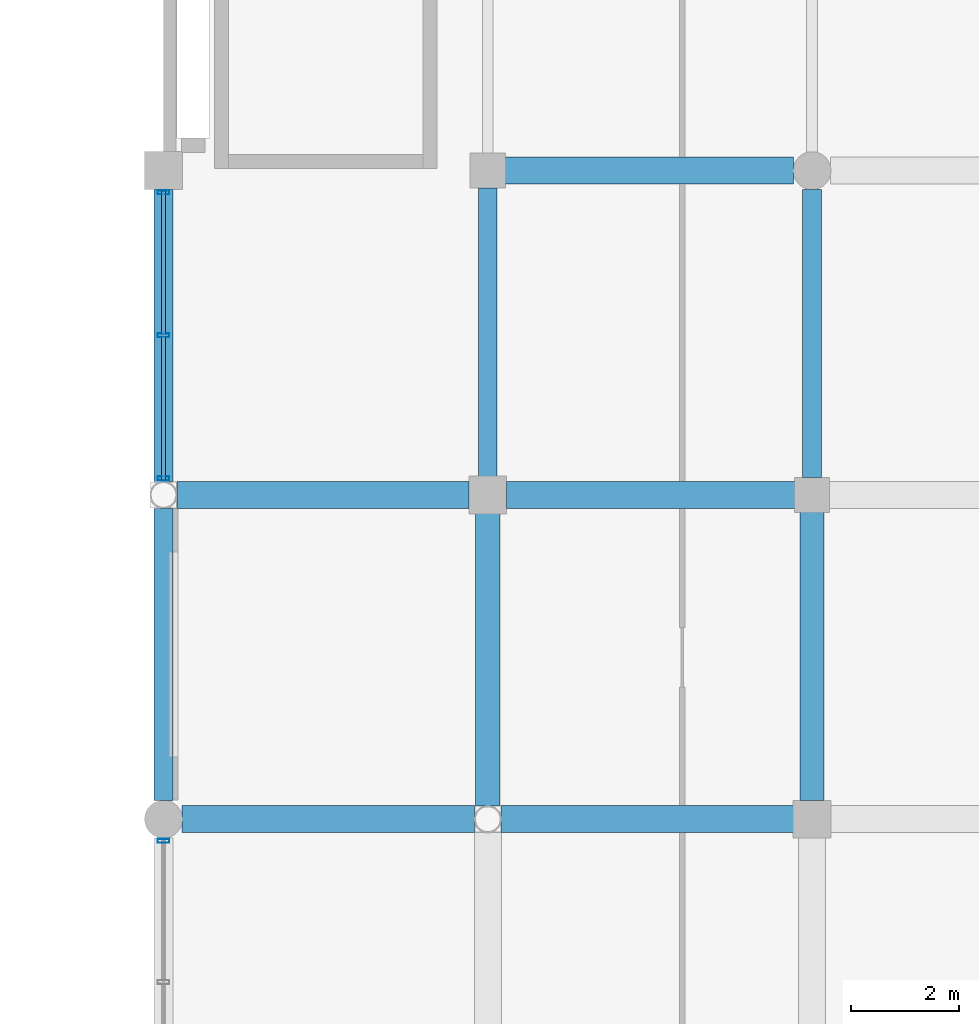
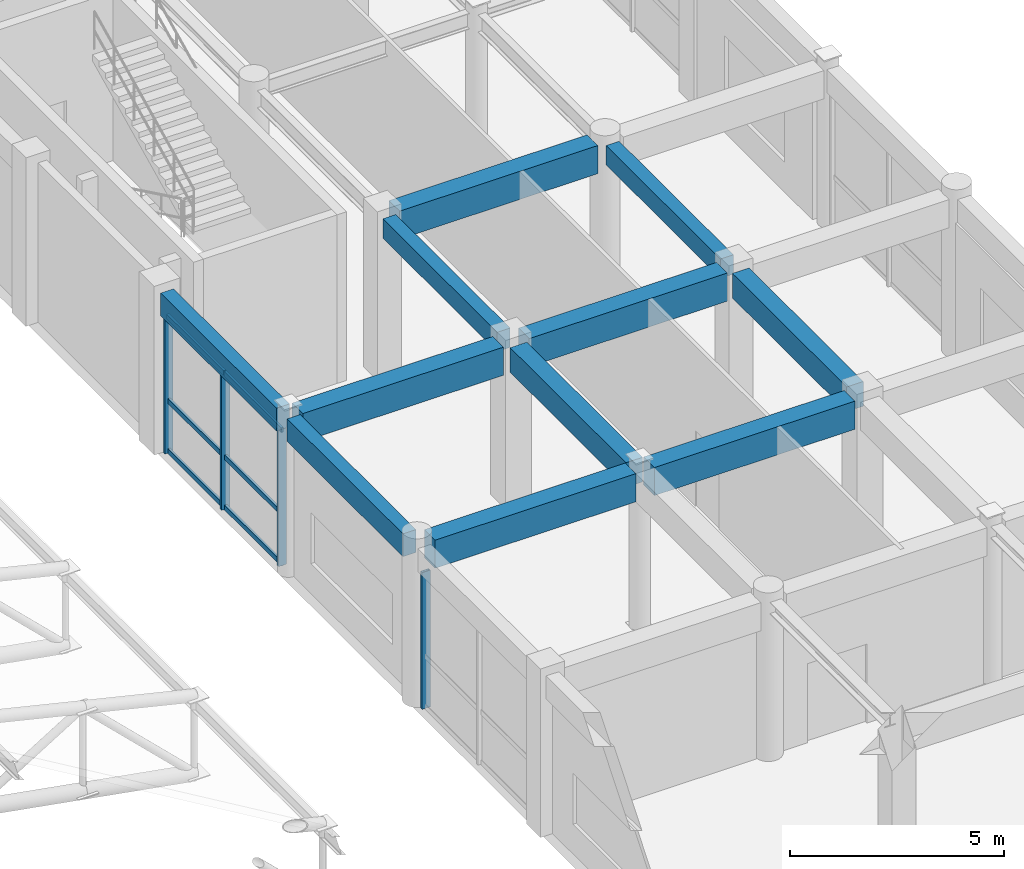
# One storey, part 68 of 112: 11 beams, 10 members, 2 elements without a shape of their own.
"""IFC4 building model written with IfcOpenShell, lengths in metres."""

import ifcopenshell
import ifcopenshell.guid

model = None  # the IFC model being written
_history = None  # IfcOwnerHistory: only IFC2X3 demands one
_inside = {}  # id of a spatial element -> (the spatial element, [elements in it])
_under = {}  # id of a project, library or spatial element -> (it, [spatial elements below it])
_declared = {}  # id of a project -> (the project, [libraries it declares])
_typed = {}  # id of a type object -> (the type object, [elements of that type])
_made_of = {}  # id of a material, layer set ... -> (it, [elements and type objects made of it])


def new_model(schema):
    """Start an empty IFC model of exactly this schema.

    Asked for "IFC4X3", IfcOpenShell would pick the latest addendum, in which some entities
    have other attributes; the version numbers below select the first issue.
    IFC2X3 requires an IfcOwnerHistory on every rooted entity: one is made here for all.
    """
    global model, _history
    if schema == "IFC4X3":
        model = ifcopenshell.file(schema_version=(4, 3, 0, 0))
    else:
        model = ifcopenshell.file(schema=schema)
    _inside.clear()
    _under.clear()
    _declared.clear()
    _typed.clear()
    _made_of.clear()
    _history = None
    if model.schema == "IFC2X3":
        org = make("IfcOrganization", Name="unknown")
        user = make(
            "IfcPersonAndOrganization",
            ThePerson=make("IfcPerson", FamilyName="unknown"),
            TheOrganization=org,
        )
        app = make(
            "IfcApplication",
            ApplicationDeveloper=org,
            Version="unknown",
            ApplicationFullName="unknown",
            ApplicationIdentifier="unknown",
        )
        _history = make(
            "IfcOwnerHistory",
            OwningUser=user,
            OwningApplication=app,
            ChangeAction="ADDED",
            CreationDate=0,
        )
    return model


def make(cls, **values):
    """One entity of the class cls with the attributes given. An attribute that is None is left unset."""
    return model.create_entity(
        cls, **{name: value for name, value in values.items() if value is not None}
    )


def rooted(cls, **values):
    """An entity with a GlobalId (a new one), such as an element, a storey or a relation."""
    return make(cls, GlobalId=ifcopenshell.guid.new(), OwnerHistory=_history, **values)


def si_unit(unit_type, name, prefix=None):
    """IfcSIUnit, for example si_unit("LENGTHUNIT", "METRE", prefix="MILLI")."""
    return make("IfcSIUnit", UnitType=unit_type, Prefix=prefix, Name=name)


def assignment(units):
    """IfcUnitAssignment: the units of a project."""
    return None if units is None else make("IfcUnitAssignment", Units=units)


def point(xyz):
    """IfcCartesianPoint."""
    return None if xyz is None else make("IfcCartesianPoint", Coordinates=xyz)


def direction(xyz):
    """IfcDirection."""
    return None if xyz is None else make("IfcDirection", DirectionRatios=xyz)


def frame(location, z_axis=None, x_axis=None):
    """IfcAxis2Placement3D, a coordinate frame: its origin and axes. An axis left out is left unset."""
    return make(
        "IfcAxis2Placement3D",
        Location=point(location),
        Axis=direction(z_axis),
        RefDirection=direction(x_axis),
    )


def frame_2d(location, x_axis=None):
    """IfcAxis2Placement2D, a coordinate frame in the plane: its origin and x axis."""
    return make(
        "IfcAxis2Placement2D", Location=point(location), RefDirection=direction(x_axis)
    )


def origin():
    """The frame at (0, 0, 0) with its axes left unset."""
    return frame((0.0, 0.0, 0.0))


def origin_2d():
    """The frame at (0, 0) in the plane with its x axis left unset."""
    return frame_2d((0.0, 0.0))


def place(relative_to, where):
    """IfcLocalPlacement: puts the frame where relative to a parent placement (None: the world)."""
    return make(
        "IfcLocalPlacement", PlacementRelTo=relative_to, RelativePlacement=where
    )


def context(
    kind, dimensions, precision=None, world=None, true_north=None, identifier=None
):
    """IfcGeometricRepresentationContext, for example the 3D "Model" context."""
    return make(
        "IfcGeometricRepresentationContext",
        ContextIdentifier=identifier,
        ContextType=kind,
        CoordinateSpaceDimension=dimensions,
        Precision=precision,
        WorldCoordinateSystem=world,
        TrueNorth=true_north,
    )


def subcontext(parent, identifier, kind, view, scale=None):
    """IfcGeometricRepresentationSubContext, for example "Body" below "Model"."""
    return make(
        "IfcGeometricRepresentationSubContext",
        ContextIdentifier=identifier,
        ContextType=kind,
        ParentContext=parent,
        TargetScale=scale,
        TargetView=view,
    )


def project(units=None, contexts=None):
    """IfcProject with its units and contexts."""
    return rooted(
        "IfcProject",
        Name="project",
        RepresentationContexts=contexts,
        UnitsInContext=assignment(units),
    )


def spatial(cls, under=None, at=None, **own):
    """A site, building, storey or space (cls), placed at a placement, below another one or the project."""
    s = rooted(cls, ObjectPlacement=at, **own)
    if under is not None:
        _under.setdefault(under.id(), (under, []))[1].append(s)
    return s


def profile(cls, at=None, kind="AREA", **sizes):
    """A parametric profile (cls). Its sizes go by their IFC names, for example OverallWidth=200.0."""
    return make(cls, ProfileType=kind, Position=at, **sizes)


def rectangle(**sizes):
    """IfcRectangleProfileDef."""
    return profile("IfcRectangleProfileDef", **sizes)


def hollow_rectangle(**sizes):
    """IfcRectangleHollowProfileDef."""
    return profile("IfcRectangleHollowProfileDef", **sizes)


def extrude(swept, where, along, depth):
    """IfcExtrudedAreaSolid: the profile swept, set in the frame where, extruded along a direction by depth."""
    return make(
        "IfcExtrudedAreaSolid",
        SweptArea=swept,
        Position=where,
        ExtrudedDirection=direction(along),
        Depth=depth,
    )


def shape(context_of_items, identifier, shape_type, items):
    """IfcShapeRepresentation: the items that make up one representation, for example the "Body"."""
    return make(
        "IfcShapeRepresentation",
        ContextOfItems=context_of_items,
        RepresentationIdentifier=identifier,
        RepresentationType=shape_type,
        Items=items,
    )


def material(Name=None, Category=None):
    """IfcMaterial."""
    return make("IfcMaterial", Name=Name, Category=Category)


def material_profile(
    of_material, cross_section, Name=None, Category=None, Priority=None
):
    """IfcMaterialProfile: a cross section and its material."""
    return make(
        "IfcMaterialProfile",
        Name=Name,
        Material=of_material,
        Profile=cross_section,
        Priority=Priority,
        Category=Category,
    )


def profile_set(profiles, Name=None, composite=None):
    """IfcMaterialProfileSet."""
    return make(
        "IfcMaterialProfileSet",
        Name=Name,
        MaterialProfiles=profiles,
        CompositeProfile=composite,
    )


def made_of(thing, what):
    """Note that an element or type object is made of a material, layer set ...; save() writes the relation."""
    if what is not None:
        _made_of.setdefault(what.id(), (what, []))[1].append(thing)
    return thing


def type_object(cls, material=None, **own):
    """A type object (cls), such as IfcWallType, which elements share."""
    return made_of(rooted(cls, **own), material)


def element(
    cls,
    number,
    at=None,
    inside=None,
    cuts=None,
    type_object=None,
    material=None,
    context=None,
    identifier="Body",
    shape_type=None,
    held_by="IfcProductDefinitionShape",
    body=None,
    shapes=None,
    **own,
):
    """One element of the class cls, such as IfcWall. Its Tag is "e" and its number.

    at: its placement. inside: the storey or other place that contains it. cuts: it is an
    opening in that element (IfcRelVoidsElement). A single representation is given by context,
    identifier, shape_type and body (its items); several are given by shapes. held_by: the class
    of the entity that holds the representations. save() writes the other relations.
    """
    e = rooted(cls, Tag="e%d" % number, ObjectPlacement=at, **own)
    if body is not None:
        shapes = [shape(context, identifier, shape_type, body)]
    if shapes is not None:
        e.Representation = make(held_by, Representations=shapes)
    if inside is not None:
        _inside.setdefault(inside.id(), (inside, []))[1].append(e)
    if cuts is not None:
        rooted(
            "IfcRelVoidsElement", RelatingBuildingElement=cuts, RelatedOpeningElement=e
        )
    if type_object is not None:
        _typed.setdefault(type_object.id(), (type_object, []))[1].append(e)
    return made_of(e, material)


def aggregate(whole, parts):
    """IfcRelAggregates: a whole, such as a stair, and the parts it consists of."""
    return rooted("IfcRelAggregates", RelatingObject=whole, RelatedObjects=parts)


def save(model, path):
    """Write the relations noted so far, then the file.

    IfcRelAggregates (storeys below a building ...), IfcRelContainedInSpatialStructure (elements
    in a storey), IfcRelDefinesByType, IfcRelAssociatesMaterial and IfcRelDeclares: one each for
    every whole, place, type object, material and project.
    """
    for whole, parts in _under.values():
        aggregate(whole, parts)
    for where, things in _inside.values():
        rooted(
            "IfcRelContainedInSpatialStructure",
            RelatedElements=things,
            RelatingStructure=where,
        )
    for kind, things in _typed.values():
        rooted("IfcRelDefinesByType", RelatedObjects=things, RelatingType=kind)
    for what, things in _made_of.values():
        rooted("IfcRelAssociatesMaterial", RelatedObjects=things, RelatingMaterial=what)
    for by, libraries in _declared.values():
        rooted("IfcRelDeclares", RelatingContext=by, RelatedDefinitions=libraries)
    model.write(path)


model = new_model("IFC4")

# Units and contexts
model_context = context("Model", 3, precision=1e-05, world=origin(), true_north=direction((0.0, 1.0)))
body_context = subcontext(model_context, "Body", "Model", "MODEL_VIEW")
ifc_project = project(units=[si_unit("LENGTHUNIT", "METRE"), si_unit("AREAUNIT", "SQUARE_METRE"), si_unit("VOLUMEUNIT", "CUBIC_METRE"), si_unit("PLANEANGLEUNIT", "RADIAN"), si_unit("MASSUNIT", "GRAM", prefix="KILO"), si_unit("THERMODYNAMICTEMPERATUREUNIT", "KELVIN"), si_unit("POWERUNIT", "WATT")], contexts=[model_context])

# Site, building, storey
site_placement = place(None, origin())
site = spatial("IfcSite", under=ifc_project, at=site_placement, CompositionType="ELEMENT")
building_placement = place(site_placement, origin())
building = spatial("IfcBuilding", under=site, at=building_placement, Name="Phaisarnlok Congress Hotel", CompositionType="ELEMENT")
storey_placement = place(building_placement, frame((0.0, 0.0, 19.800048828125)))
storey = spatial("IfcBuildingStorey", under=building, at=storey_placement, Name="L04", CompositionType="ELEMENT", Elevation=19.800048828125)

# Beams
ifc_material_1 = material(Name="Concrete C40/50", Category="concrete")
ifc_material_profile_1 = material_profile(ifc_material_1, rectangle(XDim=0.35009765625, YDim=0.550048828125, at=origin_2d()), Name="RC 350x550")
ifc_profile_set_1 = profile_set([ifc_material_profile_1], Name="Concrete C40/50")
beam_type_1 = type_object("IfcBeamType", Name="BM-RC-350x550", PredefinedType="BEAM", material=ifc_profile_set_1)
for number, where, z_axis, x_axis, name in (
    (1, (168.0, 72.344970703125, 4.27490234375), (0.0, 1.0, 0.0), (-1.0, 0.0, 0.0), "Beam B-01"),
    (2, (174.0, 72.320068359375, 4.27490234375), (0.0, 1.0, 0.0), (-1.0, 0.0, 0.0), "Beam B-01"),
):
    element("IfcBeam", number, at=place(storey_placement, frame(where, z_axis=z_axis, x_axis=x_axis)), inside=storey, type_object=beam_type_1, Name=name, PredefinedType="BEAM", context=body_context, shape_type="SweptSolid", body=[
        extrude(rectangle(XDim=0.35009765625, YDim=0.550048828125, at=origin_2d()), origin(), (0.0, 0.0, 1.0), 5.3349609375),
    ])
ifc_material_profile_2 = material_profile(ifc_material_1, rectangle(XDim=0.449951171875, YDim=0.699951171875, at=origin_2d()), Name="RC 450x700")
ifc_profile_set_2 = profile_set([ifc_material_profile_2], Name="Concrete C40/50")
beam_type_2 = type_object("IfcBeamType", Name="BM-RC-450x700", PredefinedType="BEAM", material=ifc_profile_set_2)
beam_1_placement = place(storey_placement, frame((168.0, 66.2490234375, 4.199951171875), z_axis=(0.0, 1.0, 0.0), x_axis=(-1.0, 0.0, 0.0)))
element("IfcBeam", 3, at=beam_1_placement, inside=storey, type_object=beam_type_2, Name="Beam B-03", PredefinedType="BEAM", context=body_context, shape_type="SweptSolid", body=[
    extrude(rectangle(XDim=0.449951171875, YDim=0.699951171875, at=origin_2d()), origin(), (0.0, 0.0, 1.0), 5.406005859375),
])
beam_2_placement = place(storey_placement, frame((174.0, 66.344970703125, 4.199951171875), z_axis=(0.0, 1.0, 0.0), x_axis=(-1.0, 0.0, 0.0)))
element("IfcBeam", 4, at=beam_2_placement, inside=storey, type_object=beam_type_2, Name="Beam B-03", PredefinedType="BEAM", context=body_context, shape_type="SweptSolid", body=[
    extrude(rectangle(XDim=0.449951171875, YDim=0.699951171875, at=origin_2d()), origin(), (0.0, 0.0, 1.0), 5.3349609375),
])
ifc_material_profile_3 = material_profile(ifc_material_1, rectangle(XDim=0.5, YDim=0.800048828125, at=origin_2d()), Name="RC 500x800")
ifc_profile_set_3 = profile_set([ifc_material_profile_3], Name="Concrete C40/50")
beam_type_3 = type_object("IfcBeamType", Name="BM-RC-500x800", PredefinedType="BEAM", material=ifc_profile_set_3)
for number, where, z_axis, x_axis, name in (
    (5, (162.344970703125, 66.0, 4.14990234375), (1.0, 0.0, 0.0), (0.0, 1.0, 0.0), "Beam B-04"),
    (6, (162.2490234375, 72.0, 4.14990234375), (1.0, 0.0, 0.0), (0.0, 1.0, 0.0), "Beam B-04"),
    (7, (168.2490234375, 66.0, 4.14990234375), (1.0, 0.0, 0.0), (0.0, 1.0, 0.0), "Beam B-04"),
):
    element("IfcBeam", number, at=place(storey_placement, frame(where, z_axis=z_axis, x_axis=x_axis)), inside=storey, type_object=beam_type_3, Name=name, PredefinedType="BEAM", context=body_context, shape_type="SweptSolid", body=[
        extrude(rectangle(XDim=0.5, YDim=0.800048828125, at=origin_2d()), origin(), (0.0, 0.0, 1.0), 5.406005859375),
    ])
for number, where, z_axis, x_axis, name in (
    (8, (168.344970703125, 72.0, 4.14990234375), (1.0, 0.0, 0.0), (0.0, 1.0, 0.0), "Beam B-04"),
    (9, (168.320068359375, 78.0, 4.14990234375), (1.0, 0.0, 0.0), (0.0, 1.0, 0.0), "Beam B-04"),
):
    element("IfcBeam", number, at=place(storey_placement, frame(where, z_axis=z_axis, x_axis=x_axis)), inside=storey, type_object=beam_type_3, Name=name, PredefinedType="BEAM", context=body_context, shape_type="SweptSolid", body=[
        extrude(rectangle(XDim=0.5, YDim=0.800048828125, at=origin_2d()), origin(), (0.0, 0.0, 1.0), 5.3349609375),
    ])

# Curtain wall, members
ifc_material_2 = material(Name="Thermally Broken Unitised Aluminium & Low-E Glazing", Category="aluminium")
curtain_wall_type_1 = type_object("IfcCurtainWallType", Name="CW-UNIT-34", PredefinedType="NOTDEFINED", material=ifc_material_2)
curtain_wall_1_placement = place(storey_placement, origin())
curtain_wall_1 = element("IfcCurtainWall", 10, at=curtain_wall_1_placement, inside=storey, type_object=curtain_wall_type_1, Name="Unitised curtain wall CW-34 (L04)", PredefinedType="NOTDEFINED")
ifc_material_3 = material(Name="Anodised Aluminium Alloy 6063-T6", Category="aluminium")
ifc_material_profile_4 = material_profile(ifc_material_3, hollow_rectangle(XDim=0.074951171875, YDim=0.219970703125, WallThickness=0.0048828125, at=origin_2d()), Name="ALU-M 75x220x5")
ifc_profile_set_4 = profile_set([ifc_material_profile_4], Name="Anodised Aluminium Alloy 6063-T6")
member_type_1 = type_object("IfcMemberType", Name="CWM-220", PredefinedType="MULLION", material=ifc_profile_set_4)
member_1_placement = place(storey_placement, frame((162.0, 77.60009765625, 0.0), z_axis=(0.0, 0.0, 1.0), x_axis=(0.0, -1.0, 0.0)))
member_1 = element("IfcMember", 11, at=member_1_placement, type_object=member_type_1, Name="Curtain wall mullion CWM-02", PredefinedType="MULLION", context=body_context, shape_type="SweptSolid", body=[
    extrude(hollow_rectangle(XDim=0.074951171875, YDim=0.219970703125, WallThickness=0.0048828125, at=origin_2d()), origin(), (0.0, 0.0, 1.0), 3.89990234375),
])
member_2_placement = place(storey_placement, frame((162.0, 74.951904296875, 0.0), z_axis=(0.0, 0.0, 1.0), x_axis=(0.0, -1.0, 0.0)))
member_2 = element("IfcMember", 12, at=member_2_placement, type_object=member_type_1, Name="Curtain wall mullion CWM-02", PredefinedType="MULLION", context=body_context, shape_type="SweptSolid", body=[
    extrude(hollow_rectangle(XDim=0.074951171875, YDim=0.219970703125, WallThickness=0.0048828125, at=origin_2d()), origin(), (0.0, 0.0, 1.0), 3.89990234375),
])
member_3_placement = place(storey_placement, frame((162.0, 72.303955078125, 0.0), z_axis=(0.0, 0.0, 1.0), x_axis=(0.0, -1.0, 0.0)))
member_3 = element("IfcMember", 13, at=member_3_placement, type_object=member_type_1, Name="Curtain wall mullion CWM-02", PredefinedType="MULLION", context=body_context, shape_type="SweptSolid", body=[
    extrude(hollow_rectangle(XDim=0.074951171875, YDim=0.219970703125, WallThickness=0.0048828125, at=origin_2d()), origin(), (0.0, 0.0, 1.0), 3.89990234375),
])

# Curtain wall, member
curtain_wall_type_2 = type_object("IfcCurtainWallType", Name="CW-UNIT-33", PredefinedType="NOTDEFINED", material=ifc_material_2)
curtain_wall_2_placement = place(storey_placement, origin())
curtain_wall_2 = element("IfcCurtainWall", 14, at=curtain_wall_2_placement, inside=storey, type_object=curtain_wall_type_2, Name="Unitised curtain wall CW-33 (L04)", PredefinedType="NOTDEFINED")
member_4_placement = place(storey_placement, frame((162.0, 65.60009765625, 0.0), z_axis=(0.0, 0.0, 1.0), x_axis=(0.0, -1.0, 0.0)))
member_4 = element("IfcMember", 15, at=member_4_placement, type_object=member_type_1, Name="Curtain wall mullion CWM-02", PredefinedType="MULLION", context=body_context, shape_type="SweptSolid", body=[
    extrude(hollow_rectangle(XDim=0.074951171875, YDim=0.219970703125, WallThickness=0.0048828125, at=origin_2d()), origin(), (0.0, 0.0, 1.0), 3.89990234375),
])
aggregate(curtain_wall_2, [member_4])

# Member
ifc_material_profile_5 = material_profile(ifc_material_3, hollow_rectangle(XDim=0.06494140625, YDim=0.139892578125, WallThickness=0.00390625, at=origin_2d()), Name="ALU-T 65x140x4")
ifc_profile_set_5 = profile_set([ifc_material_profile_5], Name="Anodised Aluminium Alloy 6063-T6")
member_type_2 = type_object("IfcMemberType", Name="CWT-150", PredefinedType="USERDEFINED", material=ifc_profile_set_5)
member_5_placement = place(storey_placement, frame((162.0, 77.625, 0.050048828125), z_axis=(0.0, -1.0, 0.0), x_axis=(1.0, 0.0, 0.0)))
member_5 = element("IfcMember", 16, at=member_5_placement, type_object=member_type_2, Name="Curtain wall transom CWT-01", ObjectType="TRANSOM", PredefinedType="USERDEFINED", context=body_context, shape_type="SweptSolid", body=[
    extrude(hollow_rectangle(XDim=0.06494140625, YDim=0.139892578125, WallThickness=0.00390625, at=origin_2d()), origin(), (0.0, 0.0, 1.0), 2.657958984375),
])

member_6_placement = place(storey_placement, frame((162.0, 77.625, 1.48193359375), z_axis=(0.0, -1.0, 0.0), x_axis=(1.0, 0.0, 0.0)))
member_6 = element("IfcMember", 17, at=member_6_placement, type_object=member_type_2, Name="Curtain wall transom CWT-01", ObjectType="TRANSOM", PredefinedType="USERDEFINED", context=body_context, shape_type="SweptSolid", body=[
    extrude(hollow_rectangle(XDim=0.06494140625, YDim=0.139892578125, WallThickness=0.00390625, at=origin_2d()), origin(), (0.0, 0.0, 1.0), 2.657958984375),
])

member_7_placement = place(storey_placement, frame((162.0, 77.625, 3.849853515625), z_axis=(0.0, -1.0, 0.0), x_axis=(1.0, 0.0, 0.0)))
member_7 = element("IfcMember", 18, at=member_7_placement, type_object=member_type_2, Name="Curtain wall transom CWT-01", ObjectType="TRANSOM", PredefinedType="USERDEFINED", context=body_context, shape_type="SweptSolid", body=[
    extrude(hollow_rectangle(XDim=0.06494140625, YDim=0.139892578125, WallThickness=0.00390625, at=origin_2d()), origin(), (0.0, 0.0, 1.0), 2.657958984375),
])

member_8_placement = place(storey_placement, frame((162.0, 74.93701171875, 0.050048828125), z_axis=(0.0, -1.0, 0.0), x_axis=(1.0, 0.0, 0.0)))
member_8 = element("IfcMember", 19, at=member_8_placement, type_object=member_type_2, Name="Curtain wall transom CWT-01", ObjectType="TRANSOM", PredefinedType="USERDEFINED", context=body_context, shape_type="SweptSolid", body=[
    extrude(hollow_rectangle(XDim=0.06494140625, YDim=0.139892578125, WallThickness=0.00390625, at=origin_2d()), origin(), (0.0, 0.0, 1.0), 2.657958984375),
])

member_9_placement = place(storey_placement, frame((162.0, 74.93701171875, 1.48193359375), z_axis=(0.0, -1.0, 0.0), x_axis=(1.0, 0.0, 0.0)))
member_9 = element("IfcMember", 20, at=member_9_placement, type_object=member_type_2, Name="Curtain wall transom CWT-01", ObjectType="TRANSOM", PredefinedType="USERDEFINED", context=body_context, shape_type="SweptSolid", body=[
    extrude(hollow_rectangle(XDim=0.06494140625, YDim=0.139892578125, WallThickness=0.00390625, at=origin_2d()), origin(), (0.0, 0.0, 1.0), 2.657958984375),
])

member_10_placement = place(storey_placement, frame((162.0, 74.93701171875, 3.849853515625), z_axis=(0.0, -1.0, 0.0), x_axis=(1.0, 0.0, 0.0)))
member_10 = element("IfcMember", 21, at=member_10_placement, type_object=member_type_2, Name="Curtain wall transom CWT-01", ObjectType="TRANSOM", PredefinedType="USERDEFINED", context=body_context, shape_type="SweptSolid", body=[
    extrude(hollow_rectangle(XDim=0.06494140625, YDim=0.139892578125, WallThickness=0.00390625, at=origin_2d()), origin(), (0.0, 0.0, 1.0), 2.657958984375),
])

aggregate(curtain_wall_1, [member_1, member_2, member_3, member_5, member_6, member_7, member_8, member_9, member_10])

# Beams
ifc_material_profile_6 = material_profile(ifc_material_1, rectangle(XDim=0.35009765625, YDim=0.64990234375, at=origin_2d()), Name="RC 350x650")
ifc_profile_set_6 = profile_set([ifc_material_profile_6], Name="Concrete C40/50")
beam_type_4 = type_object("IfcBeamType", Name="SP-RC-350x650", PredefinedType="SPANDREL", material=ifc_profile_set_6)
for number, where, z_axis, x_axis, name in (
    (22, (162.0, 66.344970703125, 4.224853515625), (0.0, 1.0, 0.0), (-1.0, 0.0, 0.0), "Beam SP-01"),
    (23, (162.0, 72.2490234375, 4.224853515625), (0.0, 1.0, 0.0), (-1.0, 0.0, 0.0), "Beam SP-01"),
):
    element("IfcBeam", number, at=place(storey_placement, frame(where, z_axis=z_axis, x_axis=x_axis)), inside=storey, type_object=beam_type_4, Name=name, PredefinedType="SPANDREL", context=body_context, shape_type="SweptSolid", body=[
        extrude(rectangle(XDim=0.35009765625, YDim=0.64990234375, at=origin_2d()), origin(), (0.0, 0.0, 1.0), 5.406005859375),
    ])

save(model, "model.ifc")
